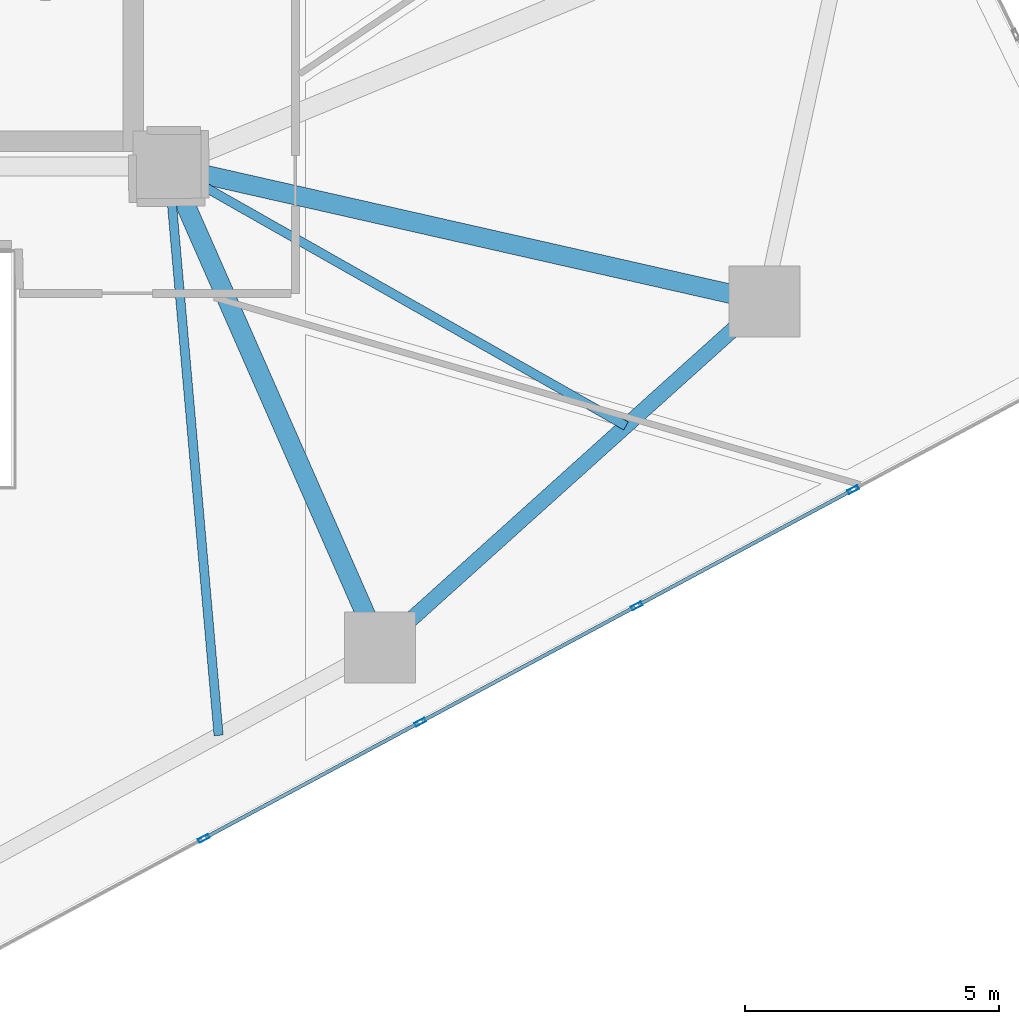
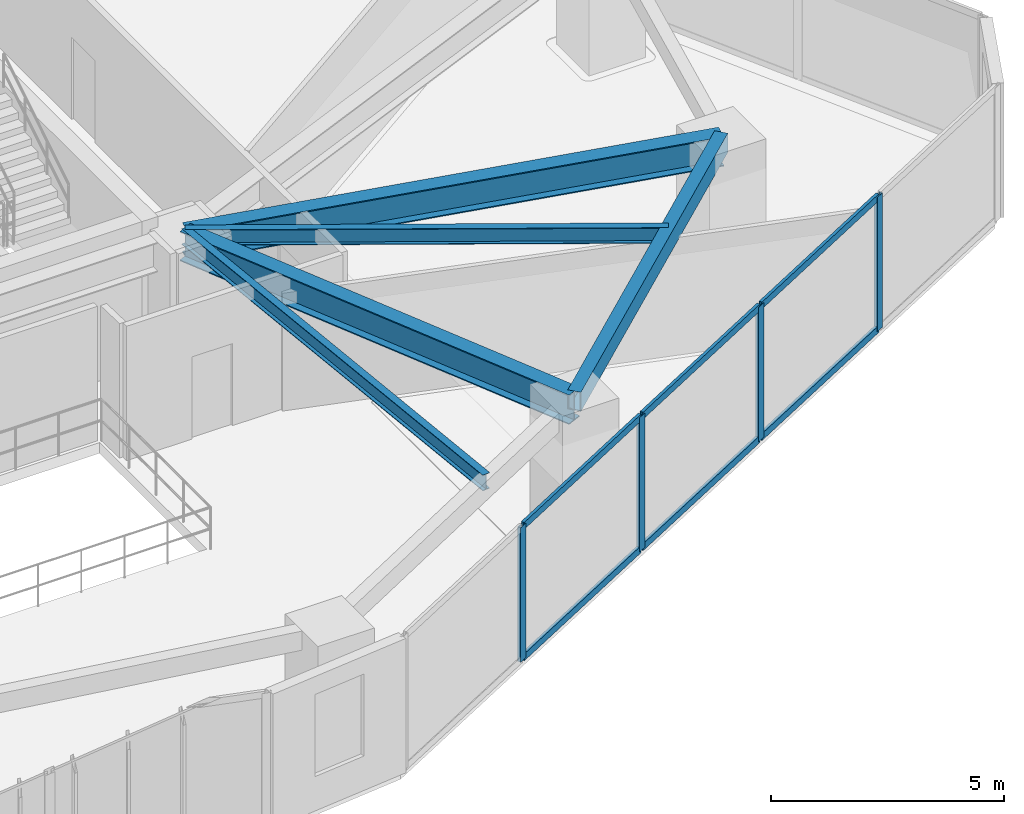
# One storey, part 10 of 24: 10 members, 5 beams, 1 element without a shape of its own.
"""IFC4 building model written with IfcOpenShell, lengths in metres."""

from ifc_helpers import new_model, si_unit, direction, frame, origin, origin_2d, place, context, subcontext, project, spatial, hollow_rectangle, i_section, extrude, source, transform, mapped, material, layer, layer_set, material_profile, profile_set, type_object, type_shapes, element, aggregate, save


model = new_model("IFC4")

# Units and contexts
model_context = context("Model", 3, precision=1e-05, world=origin(), true_north=direction((0.0, 1.0)))
body_context = subcontext(model_context, "Body", "Model", "MODEL_VIEW")
ifc_project = project(units=[si_unit("LENGTHUNIT", "METRE"), si_unit("AREAUNIT", "SQUARE_METRE"), si_unit("VOLUMEUNIT", "CUBIC_METRE"), si_unit("PLANEANGLEUNIT", "RADIAN"), si_unit("MASSUNIT", "GRAM", prefix="KILO")], contexts=[model_context])

# Site, building, storey
site_placement = place(None, origin())
site = spatial("IfcSite", under=ifc_project, at=site_placement, CompositionType="ELEMENT")
building_placement = place(site_placement, origin())
building = spatial("IfcBuilding", under=site, at=building_placement, Name="Talar Marvaseh", CompositionType="ELEMENT")
storey_placement = place(building_placement, frame((0.0, 0.0, 43.0)))
storey = spatial("IfcBuildingStorey", under=building, at=storey_placement, Name="L10", CompositionType="ELEMENT", Elevation=43.0)

# Beams
ifc_material_1 = material(Name="Steel S355", Category="steel")
ifc_material_profile_1 = material_profile(ifc_material_1, hollow_rectangle(XDim=0.300048828125, YDim=0.5, WallThickness=0.02001953125, at=origin_2d()), Name="RHS500x300x20")
ifc_profile_set_1 = profile_set([ifc_material_profile_1], Name="Steel S355")
beam_type_1 = type_object("IfcBeamType", Name="Zone 1 Perimeter Spandrel Beam RHS500x300x20", PredefinedType="SPANDREL", material=ifc_profile_set_1)
beam_1_placement = place(storey_placement, frame((45.0439453125, 22.840087890625, 3.27001953125), z_axis=(-0.743257224494, -0.669005753516, 0.0), x_axis=(0.669005753516, -0.743257224494, 0.0)))
element("IfcBeam", 1, at=beam_1_placement, inside=storey, type_object=beam_type_1, Name="L10 Zone 1 Perimeter Spandrel Beam RHS500x300x20", PredefinedType="SPANDREL", context=body_context, shape_type="SweptSolid", body=[
    extrude(hollow_rectangle(XDim=0.300048828125, YDim=0.5, WallThickness=0.02001953125, at=origin_2d()), origin(), (0.0, 0.0, 1.0), 10.19287109375),
])
ifc_material_profile_2 = material_profile(ifc_material_1, i_section(OverallWidth=0.381103515625, OverallDepth=0.77294921875, WebThickness=0.0166015625, FlangeThickness=0.027099609375, at=origin_2d()), Name="W760x257")
ifc_profile_set_2 = profile_set([ifc_material_profile_2], Name="Steel S355")
beam_type_2 = type_object("IfcBeamType", Name="Zone 1 Radial Floor Girder W760x257", PredefinedType="BEAM", material=ifc_profile_set_2)
beam_2_placement = place(storey_placement, frame((45.0439453125, 22.840087890625, 3.133544921875), z_axis=(-0.975296900374, 0.220898067263, 0.0), x_axis=(-0.220898067263, -0.975296900374, 0.0)))
element("IfcBeam", 2, at=beam_2_placement, inside=storey, type_object=beam_type_2, Name="L10 Zone 1 Radial Floor Girder W760x257", PredefinedType="BEAM", context=body_context, shape_type="SweptSolid", body=[
    extrude(i_section(OverallWidth=0.381103515625, OverallDepth=0.77294921875, WebThickness=0.0166015625, FlangeThickness=0.027099609375, at=origin_2d()), origin(), (0.0, 0.0, 1.0), 12.041259765625),
])
beam_3_placement = place(storey_placement, frame((37.468017578125, 16.02099609375, 3.133544921875), z_axis=(-0.402512625991, 0.915414433969, 0.0), x_axis=(-0.915414433969, -0.402512625991, 0.0)))
element("IfcBeam", 3, at=beam_3_placement, inside=storey, type_object=beam_type_2, Name="L10 Zone 1 Radial Floor Girder W760x257", PredefinedType="BEAM", context=body_context, shape_type="SweptSolid", body=[
    extrude(i_section(OverallWidth=0.381103515625, OverallDepth=0.77294921875, WebThickness=0.0166015625, FlangeThickness=0.027099609375, at=origin_2d()), origin(), (0.0, 0.0, 1.0), 10.35498046875),
])
ifc_material_profile_3 = material_profile(ifc_material_1, i_section(OverallWidth=0.179931640625, OverallDepth=0.4130859375, WebThickness=0.009765625, FlangeThickness=0.01611328125, at=origin_2d()), Name="W410x75")
ifc_profile_set_3 = profile_set([ifc_material_profile_3], Name="Steel S355")
beam_type_3 = type_object("IfcBeamType", Name="Zone 1 Secondary Floor Joist W410x75", PredefinedType="JOIST", material=ifc_profile_set_3)
beam_4_placement = place(storey_placement, frame((42.316650390625, 20.38525390625, 3.3134765625), z_axis=(-0.869801202402, 0.493402339172, 0.0), x_axis=(-0.493402339172, -0.869801202402, 0.0)))
element("IfcBeam", 4, at=beam_4_placement, inside=storey, type_object=beam_type_3, Name="L10 Zone 1 Secondary Floor Joist W410x75", PredefinedType="JOIST", context=body_context, shape_type="SweptSolid", body=[
    extrude(i_section(OverallWidth=0.179931640625, OverallDepth=0.4130859375, WebThickness=0.009765625, FlangeThickness=0.01611328125, at=origin_2d()), origin(), (0.0, 0.0, 1.0), 10.3662109375),
])
beam_5_placement = place(storey_placement, frame((34.284423828125, 14.28369140625, 3.3134765625), z_axis=(-0.08742678295, 0.996170947992, 0.0), x_axis=(-0.996170947992, -0.08742678295, 0.0)))
element("IfcBeam", 5, at=beam_5_placement, inside=storey, type_object=beam_type_3, Name="L10 Zone 1 Secondary Floor Joist W410x75", PredefinedType="JOIST", context=body_context, shape_type="SweptSolid", body=[
    extrude(i_section(OverallWidth=0.179931640625, OverallDepth=0.4130859375, WebThickness=0.009765625, FlangeThickness=0.01611328125, at=origin_2d()), origin(), (0.0, 0.0, 1.0), 11.259521484375),
])

# Curtain wall, members
ifc_material_2 = material(Name="Architectural Aluminium", Category="aluminium")
ifc_layer = layer(ifc_material_2, 0.219970703125)
ifc_layer_set = layer_set([ifc_layer], Name="Architectural Aluminium")
curtain_wall_type = type_object("IfcCurtainWallType", Name="Unitised Low-E Museum Curtain Wall Z1", PredefinedType="NOTDEFINED", material=ifc_layer_set)
curtain_wall_placement = place(storey_placement, origin())
curtain_wall = element("IfcCurtainWall", 6, at=curtain_wall_placement, inside=storey, type_object=curtain_wall_type, Name="L10 Unitised Low-E Museum Curtain Wall Z1", PredefinedType="NOTDEFINED")
ifc_material_profile_4 = material_profile(ifc_material_2, hollow_rectangle(XDim=0.080078125, YDim=0.219970703125, WallThickness=0.0048828125, at=origin_2d()), Name="RHS220x80x5")
ifc_profile_set_4 = profile_set([ifc_material_profile_4], Name="Architectural Aluminium")
member_type_1 = type_object("IfcMemberType", Name="Unitised Curtain Wall Heavy Mullion RHS220x80x5", PredefinedType="MULLION", material=ifc_profile_set_4)
shared_shape_1 = source(origin(), body_context, "Body", "SweptSolid", [
    extrude(hollow_rectangle(XDim=0.080078125, YDim=0.219970703125, WallThickness=0.0048828125, at=origin_2d()), origin(), (0.0, 0.0, 1.0), 3.52001953125),
])
type_shapes(member_type_1, [shared_shape_1])
member_1_placement = place(storey_placement, frame((46.79638671875, 19.13037109375, 0.0), z_axis=(0.0, 0.0, 1.0), x_axis=(0.473185134207, -0.880963012144, 0.0)))
member_1 = element("IfcMember", 7, at=member_1_placement, type_object=member_type_1, Name="CW-Z1 mullion 2", PredefinedType="MULLION", context=body_context, shape_type="MappedRepresentation", body=[
    mapped(shared_shape_1, transform((0.0, 0.0, 0.0), x_axis=(1.0, 0.0, 0.0), y_axis=(0.0, 1.0, 0.0), z_axis=(0.0, 0.0, 1.0), scale=1.0)),
])
member_2_placement = place(storey_placement, frame((42.52783203125, 16.83740234375, 0.0), z_axis=(0.0, 0.0, 1.0), x_axis=(0.473185134207, -0.880963012144, 0.0)))
member_2 = element("IfcMember", 8, at=member_2_placement, type_object=member_type_1, Name="CW-Z1 mullion 3", PredefinedType="MULLION", context=body_context, shape_type="MappedRepresentation", body=[
    mapped(shared_shape_1, transform((0.0, 0.0, 0.0), x_axis=(1.0, 0.0, 0.0), y_axis=(0.0, 1.0, 0.0), z_axis=(0.0, 0.0, 1.0), scale=1.0)),
])
member_3_placement = place(storey_placement, frame((38.25927734375, 14.544677734375, 0.0), z_axis=(0.0, 0.0, 1.0), x_axis=(0.473185134207, -0.880963012144, 0.0)))
member_3 = element("IfcMember", 9, at=member_3_placement, type_object=member_type_1, Name="CW-Z1 mullion 4", PredefinedType="MULLION", context=body_context, shape_type="MappedRepresentation", body=[
    mapped(shared_shape_1, transform((0.0, 0.0, 0.0), x_axis=(1.0, 0.0, 0.0), y_axis=(0.0, 1.0, 0.0), z_axis=(0.0, 0.0, 1.0), scale=1.0)),
])
member_4_placement = place(storey_placement, frame((33.99072265625, 12.251953125, 0.0), z_axis=(0.0, 0.0, 1.0), x_axis=(0.473185134207, -0.880963012144, 0.0)))
member_4 = element("IfcMember", 10, at=member_4_placement, type_object=member_type_1, Name="CW-Z1 mullion 5", PredefinedType="MULLION", context=body_context, shape_type="MappedRepresentation", body=[
    mapped(shared_shape_1, transform((0.0, 0.0, 0.0), x_axis=(1.0, 0.0, 0.0), y_axis=(0.0, 1.0, 0.0), z_axis=(0.0, 0.0, 1.0), scale=1.0)),
])
ifc_material_profile_5 = material_profile(ifc_material_2, hollow_rectangle(XDim=0.074951171875, YDim=0.179931640625, WallThickness=0.0048828125, at=origin_2d()), Name="RHS180x75x5")
ifc_profile_set_5 = profile_set([ifc_material_profile_5], Name="Architectural Aluminium")
member_type_2 = type_object("IfcMemberType", Name="Unitised Curtain Wall Transom RHS180x75x5", PredefinedType="USERDEFINED", material=ifc_profile_set_5)
shared_shape_2 = source(origin(), body_context, "Body", "SweptSolid", [
    extrude(hollow_rectangle(XDim=0.074951171875, YDim=0.179931640625, WallThickness=0.0048828125, at=origin_2d()), origin(), (0.0, 0.0, 1.0), 4.765380859375),
])
member_5_placement = place(storey_placement, frame((38.22412109375, 14.52587890625, 0.03759765625), z_axis=(-0.880970701232, -0.473170818596, 0.0), x_axis=(0.473170818596, -0.880970701232, 0.0)))
member_5 = element("IfcMember", 11, at=member_5_placement, type_object=member_type_2, Name="CW-Z1 transom 4.1", ObjectType="TRANSOM", PredefinedType="USERDEFINED", context=body_context, shape_type="MappedRepresentation", body=[
    mapped(shared_shape_2, transform((0.0, 0.0, 0.0), x_axis=(1.0, 0.0, 0.0), y_axis=(0.0, 1.0, 0.0), z_axis=(0.0, 0.0, 1.0), scale=1.0)),
])
member_6_placement = place(storey_placement, frame((38.22412109375, 14.52587890625, 3.482421875), z_axis=(-0.880970701232, -0.473170818596, 0.0), x_axis=(0.473170818596, -0.880970701232, 0.0)))
member_6 = element("IfcMember", 12, at=member_6_placement, type_object=member_type_2, Name="CW-Z1 transom 4.2", ObjectType="TRANSOM", PredefinedType="USERDEFINED", context=body_context, shape_type="MappedRepresentation", body=[
    mapped(shared_shape_2, transform((0.0, 0.0, 0.0), x_axis=(1.0, 0.0, 0.0), y_axis=(0.0, 1.0, 0.0), z_axis=(0.0, 0.0, 1.0), scale=1.0)),
])
shared_shape_3 = source(origin(), body_context, "Body", "SweptSolid", [
    extrude(hollow_rectangle(XDim=0.074951171875, YDim=0.179931640625, WallThickness=0.0048828125, at=origin_2d()), origin(), (0.0, 0.0, 1.0), 4.76513671875),
])
type_shapes(member_type_2, [shared_shape_2, shared_shape_3])
member_7_placement = place(storey_placement, frame((46.76123046875, 19.111328125, 0.03759765625), z_axis=(-0.880959230283, -0.473192175103, 0.0), x_axis=(0.473192175103, -0.880959230283, 0.0)))
member_7 = element("IfcMember", 13, at=member_7_placement, type_object=member_type_2, Name="CW-Z1 transom 2.1", ObjectType="TRANSOM", PredefinedType="USERDEFINED", context=body_context, shape_type="MappedRepresentation", body=[
    mapped(shared_shape_3, transform((0.0, 0.0, 0.0), x_axis=(1.0, 0.0, 0.0), y_axis=(0.0, 1.0, 0.0), z_axis=(0.0, 0.0, 1.0), scale=1.0)),
])
member_8_placement = place(storey_placement, frame((46.76123046875, 19.111328125, 3.482421875), z_axis=(-0.880959230283, -0.473192175103, 0.0), x_axis=(0.473192175103, -0.880959230283, 0.0)))
member_8 = element("IfcMember", 14, at=member_8_placement, type_object=member_type_2, Name="CW-Z1 transom 2.2", ObjectType="TRANSOM", PredefinedType="USERDEFINED", context=body_context, shape_type="MappedRepresentation", body=[
    mapped(shared_shape_3, transform((0.0, 0.0, 0.0), x_axis=(1.0, 0.0, 0.0), y_axis=(0.0, 1.0, 0.0), z_axis=(0.0, 0.0, 1.0), scale=1.0)),
])
member_9_placement = place(storey_placement, frame((42.49267578125, 16.818603515625, 0.03759765625), z_axis=(-0.880959230283, -0.473192175103, 0.0), x_axis=(0.473192175103, -0.880959230283, 0.0)))
member_9 = element("IfcMember", 15, at=member_9_placement, type_object=member_type_2, Name="CW-Z1 transom 3.1", ObjectType="TRANSOM", PredefinedType="USERDEFINED", context=body_context, shape_type="MappedRepresentation", body=[
    mapped(shared_shape_3, transform((0.0, 0.0, 0.0), x_axis=(1.0, 0.0, 0.0), y_axis=(0.0, 1.0, 0.0), z_axis=(0.0, 0.0, 1.0), scale=1.0)),
])
member_10_placement = place(storey_placement, frame((42.49267578125, 16.818603515625, 3.482421875), z_axis=(-0.880959230283, -0.473192175103, 0.0), x_axis=(0.473192175103, -0.880959230283, 0.0)))
member_10 = element("IfcMember", 16, at=member_10_placement, type_object=member_type_2, Name="CW-Z1 transom 3.2", ObjectType="TRANSOM", PredefinedType="USERDEFINED", context=body_context, shape_type="MappedRepresentation", body=[
    mapped(shared_shape_3, transform((0.0, 0.0, 0.0), x_axis=(1.0, 0.0, 0.0), y_axis=(0.0, 1.0, 0.0), z_axis=(0.0, 0.0, 1.0), scale=1.0)),
])
aggregate(curtain_wall, [member_1, member_2, member_3, member_4, member_7, member_8, member_9, member_10, member_5, member_6])

save(model, "model.ifc")
